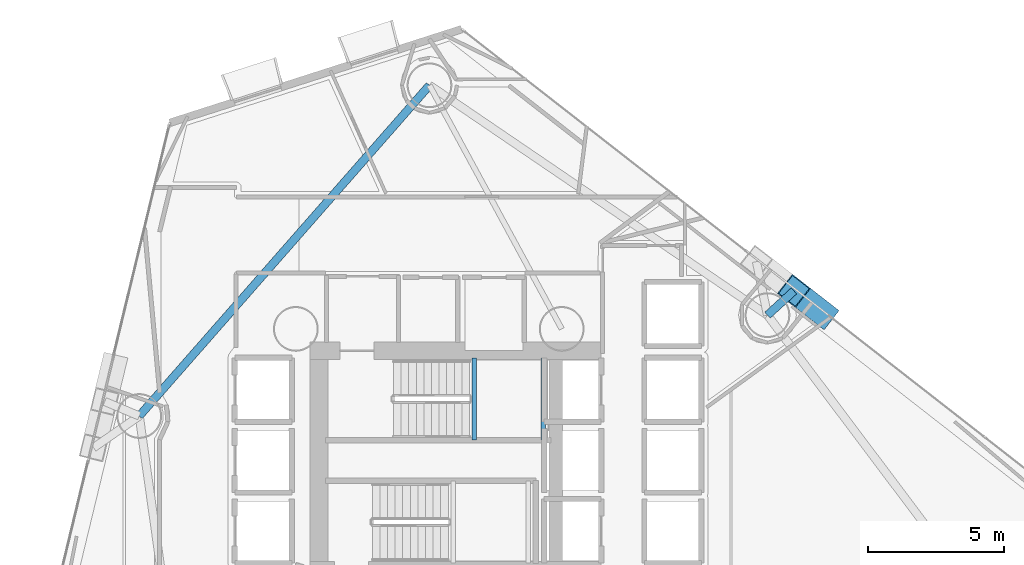
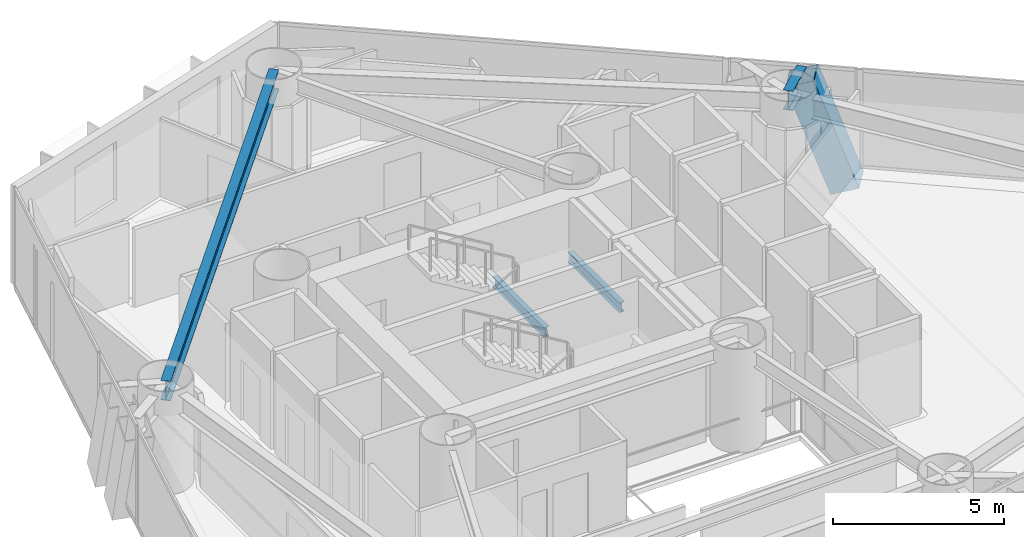
# One storey, part 8 of 23: 4 beams, 1 member.
"""IFC4 building model written with IfcOpenShell, lengths in metres."""

from ifc_helpers import new_model, si_unit, direction, frame, origin, origin_2d, place, context, subcontext, project, spatial, hollow_rectangle, i_section, extrude, material, material_profile, profile_set, type_object, element, save


model = new_model("IFC4")

# Units and contexts
model_context = context("Model", 3, precision=1e-05, world=origin(), true_north=direction((0.0, 1.0)))
body_context = subcontext(model_context, "Body", "Model", "MODEL_VIEW")
ifc_project = project(units=[si_unit("LENGTHUNIT", "METRE"), si_unit("AREAUNIT", "SQUARE_METRE"), si_unit("VOLUMEUNIT", "CUBIC_METRE"), si_unit("PLANEANGLEUNIT", "RADIAN"), si_unit("MASSUNIT", "GRAM", prefix="KILO")], contexts=[model_context])

# Site, building, storey
site_placement = place(None, origin())
site = spatial("IfcSite", under=ifc_project, at=site_placement, CompositionType="ELEMENT")
building_placement = place(site_placement, origin())
building = spatial("IfcBuilding", under=site, at=building_placement, Name="Qianvela Tower", CompositionType="ELEMENT")
storey_placement = place(building_placement, frame((0.0, 0.0, 85.800048828125)))
storey = spatial("IfcBuildingStorey", under=building, at=storey_placement, Name="L21", CompositionType="ELEMENT", Elevation=85.800048828125)

# Beams
ifc_material_1 = material(Name="Steel Q355B", Category="steel")
ifc_material_profile_1 = material_profile(ifc_material_1, i_section(OverallWidth=0.175048828125, OverallDepth=0.35009765625, WebThickness=0.007080078125, FlangeThickness=0.010986328125, at=origin_2d()), Name="HN350x175x7x11")
ifc_profile_set_1 = profile_set([ifc_material_profile_1], Name="Steel Q355B")
beam_type_1 = type_object("IfcBeamType", Name="BM-HN350-JOIST", PredefinedType="JOIST", material=ifc_profile_set_1)
for number, where, z_axis, x_axis, name in (
    (1, (35.179931640625, 29.4599609375, 1.474853515625), (0.0, 1.0, 0.0), (-1.0, 0.0, 0.0), "L21 Stair ST-1 Landing Support Beam 1.1"),
    (2, (37.719970703125, 29.4599609375, 1.474853515625), (0.0, 1.0, 0.0), (-1.0, 0.0, 0.0), "L21 Stair ST-1 Landing Support Beam 1.2"),
):
    element("IfcBeam", number, at=place(storey_placement, frame(where, z_axis=z_axis, x_axis=x_axis)), inside=storey, type_object=beam_type_1, Name=name, PredefinedType="JOIST", context=body_context, shape_type="SweptSolid", body=[
        extrude(i_section(OverallWidth=0.175048828125, OverallDepth=0.35009765625, WebThickness=0.007080078125, FlangeThickness=0.010986328125, at=origin_2d()), origin(), (0.0, 0.0, 1.0), 3.02001953125),
    ])
ifc_material_2 = material(Name="Steel Q355B", Category="steel")
ifc_material_profile_2 = material_profile(ifc_material_2, i_section(OverallWidth=0.300048828125, OverallDepth=0.699951171875, WebThickness=0.012939453125, FlangeThickness=0.02392578125, at=origin_2d()), Name="HN700x300x13x24")
ifc_profile_set_2 = profile_set([ifc_material_profile_2], Name="Steel Q355B")
beam_type_2 = type_object("IfcBeamType", Name="BM-HN700-SPAND", PredefinedType="SPANDREL", material=ifc_profile_set_2)
beam_1_placement = place(storey_placement, frame((45.98388671875, 34.056884765625, 3.16796875), z_axis=(0.737598153619, 0.675239930527, 0.0), x_axis=(-0.675239930527, 0.737598153619, 0.0)))
element("IfcBeam", 3, at=beam_1_placement, inside=storey, type_object=beam_type_2, Name="L21 Mega-Brace Column Tie Bracket F1-1", PredefinedType="SPANDREL", context=body_context, shape_type="SweptSolid", body=[
    extrude(i_section(OverallWidth=0.300048828125, OverallDepth=0.699951171875, WebThickness=0.012939453125, FlangeThickness=0.02392578125, at=origin_2d()), origin(), (0.0, 0.0, 1.0), 1.3232421875),
])
beam_2_placement = place(storey_placement, frame((33.52587890625, 42.529052734375, 3.16796875), z_axis=(-0.659601693124, -0.751615331422, 0.0), x_axis=(0.751615331422, -0.659601693124, 0.0)))
element("IfcBeam", 4, at=beam_2_placement, inside=storey, type_object=beam_type_2, Name="L21 Perimeter Ring Spandrel Girder 3", PredefinedType="SPANDREL", context=body_context, shape_type="SweptSolid", body=[
    extrude(i_section(OverallWidth=0.300048828125, OverallDepth=0.699951171875, WebThickness=0.012939453125, FlangeThickness=0.02392578125, at=origin_2d()), origin(), (0.0, 0.0, 1.0), 16.217041015625),
])

# Member
ifc_material_3 = material(Name="Steel Q420GJC", Category="steel")
ifc_material_profile_3 = material_profile(ifc_material_3, hollow_rectangle(XDim=0.89990234375, YDim=0.89990234375, WallThickness=0.035888671875, at=origin_2d()), Name="MBOX-900x900x36")
ifc_profile_set_3 = profile_set([ifc_material_profile_3], Name="Steel Q420GJC")
member_type = type_object("IfcMemberType", Name="MBR-MBRACE-900", PredefinedType="BRACE", material=ifc_profile_set_3)
member_placement = place(storey_placement, frame((48.01220703125, 34.129638671875, -0.531982421875), z_axis=(-0.267524833409, 0.208681784205, 0.940681867823), x_axis=(-0.61505454689, -0.788484561897, 0.0)))
element("IfcMember", 5, at=member_placement, inside=storey, type_object=member_type, Name="L21 Tier 3 Exterior Mega-Brace F1A", PredefinedType="BRACE", context=body_context, shape_type="SweptSolid", body=[
    extrude(hollow_rectangle(XDim=0.89990234375, YDim=0.89990234375, WallThickness=0.035888671875, at=origin_2d()), origin(), (0.0, 0.0, 1.0), 3.933349609375),
])

save(model, "model.ifc")
